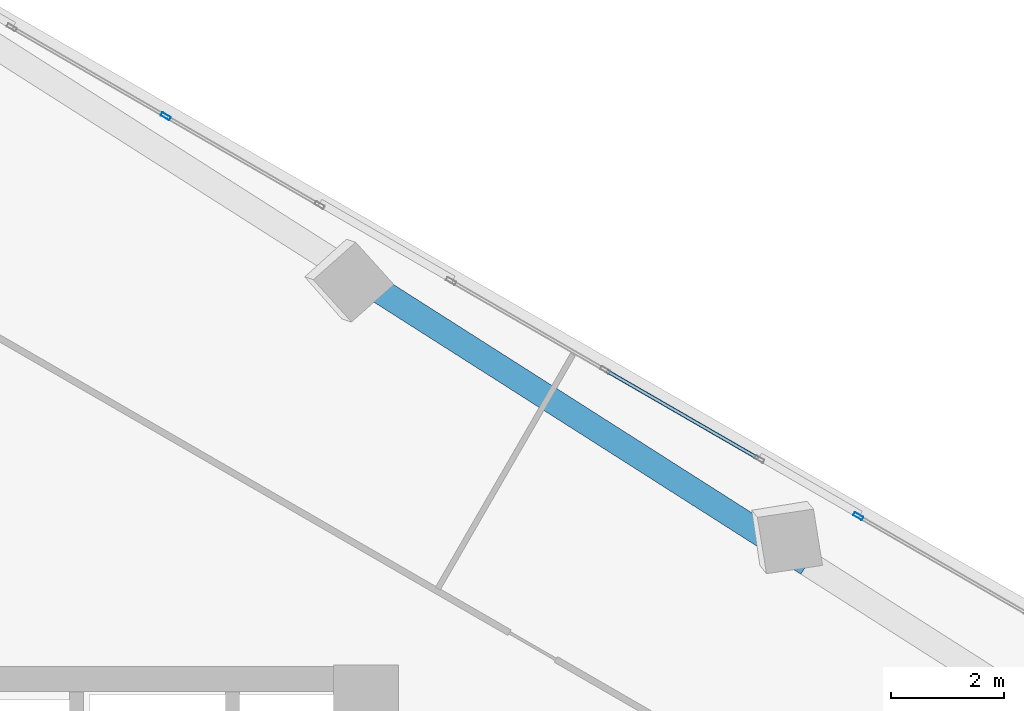
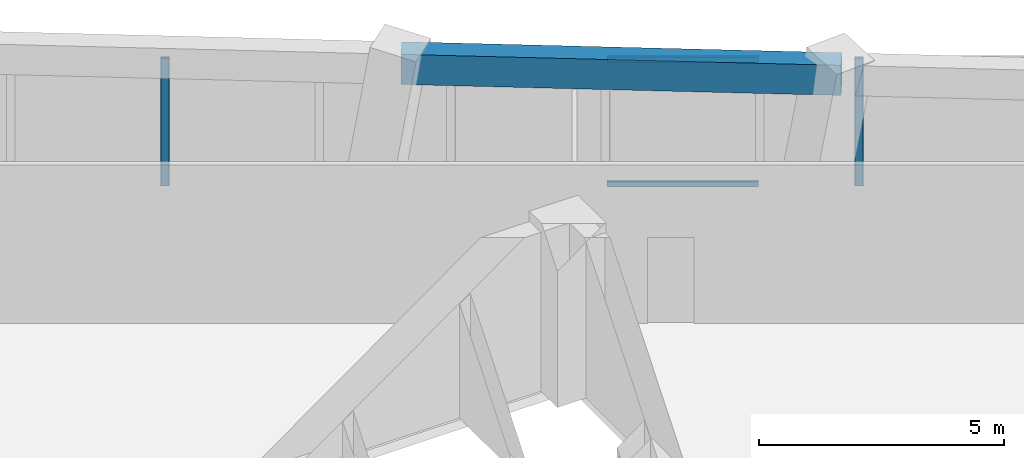
# One storey, part 15 of 22: 4 members, 1 beam, 3 elements without a shape of their own.
"""IFC4 building model written with IfcOpenShell, lengths in metres."""

from ifc_helpers import new_model, si_unit, direction, frame, origin, origin_2d, place, context, subcontext, project, spatial, rectangle, hollow_rectangle, extrude, source, transform, mapped, material, material_profile, profile_set, type_object, element, aggregate, save


model = new_model("IFC4")

# Units and contexts
model_context = context("Model", 3, precision=1e-05, world=origin(), true_north=direction((0.0, 1.0)))
body_context = subcontext(model_context, "Body", "Model", "MODEL_VIEW")
ifc_project = project(units=[si_unit("LENGTHUNIT", "METRE"), si_unit("AREAUNIT", "SQUARE_METRE"), si_unit("VOLUMEUNIT", "CUBIC_METRE"), si_unit("PLANEANGLEUNIT", "RADIAN"), si_unit("MASSUNIT", "GRAM", prefix="KILO")], contexts=[model_context])

# Site, building, storey
site_placement = place(None, origin())
site = spatial("IfcSite", under=ifc_project, at=site_placement, CompositionType="ELEMENT")
building_placement = place(site_placement, origin())
building = spatial("IfcBuilding", under=site, at=building_placement, Name="Torre Montelarca", CompositionType="ELEMENT")
storey_placement = place(building_placement, frame((0.0, 0.0, 183.39990234375)))
storey = spatial("IfcBuildingStorey", under=building, at=storey_placement, Name="L41", CompositionType="ELEMENT", Elevation=183.39990234375)

# Beam
ifc_material_1 = material(Name="Concrete C55/67", Category="concrete")
ifc_material_profile_1 = material_profile(ifc_material_1, rectangle(XDim=0.449951171875, YDim=0.75, at=origin_2d()), Name="RCB450X750", Category="concrete")
ifc_profile_set_1 = profile_set([ifc_material_profile_1], Name="Concrete C55/67")
beam_type = type_object("IfcBeamType", Name="BM-SP-RC750-EXT", PredefinedType="SPANDREL", material=ifc_profile_set_1)
shared_shape_1 = source(origin(), body_context, "Body", "SweptSolid", [
    extrude(rectangle(XDim=0.449951171875, YDim=0.75, at=origin_2d()), origin(), (0.0, 0.0, 1.0), 9.0),
])
beam_placement = place(storey_placement, frame((26.688232421875, 46.657958984375, 3.585205078125), z_axis=(0.843393307865, -0.5372966855, 0.0), x_axis=(0.5372966855, 0.843393307865, 0.0)))
element("IfcBeam", 1, at=beam_placement, inside=storey, type_object=beam_type, Name="L41 Grid Girder X 18.0-27.0 at Y=47.1", PredefinedType="SPANDREL", context=body_context, shape_type="MappedRepresentation", body=[
    mapped(shared_shape_1, transform((0.0, 0.0, 0.0), scale=1.0)),
])

# Curtain wall, member
ifc_material_2 = material(Name="Insulated low-E laminated glass", Category="glass")
curtain_wall_type = type_object("IfcCurtainWallType", Name="CW-SYS-Z2", PredefinedType="USERDEFINED", material=ifc_material_2)
curtain_wall_1_placement = place(storey_placement, origin())
curtain_wall_1 = element("IfcCurtainWall", 2, at=curtain_wall_1_placement, inside=storey, type_object=curtain_wall_type, Name="L41 Curtain Wall Run CW-T3-L41-E08-B2", ObjectType="UNITISED GLAZING", PredefinedType="USERDEFINED")
ifc_material_3 = material(Name="Anodised aluminium AA 6063-T6", Category="aluminium")
ifc_material_profile_2 = material_profile(ifc_material_3, hollow_rectangle(XDim=0.06494140625, YDim=0.179931640625, WallThickness=0.00390625, InnerFilletRadius=0.00390625, OuterFilletRadius=0.008056640625, at=origin_2d()), Name="ALU65X180X4", Category="aluminium")
ifc_profile_set_2 = profile_set([ifc_material_profile_2], Name="Anodised aluminium AA 6063-T6")
member_type_1 = type_object("IfcMemberType", Name="CWM-ALU180", PredefinedType="MULLION", material=ifc_profile_set_2)
shared_shape_2 = source(origin(), body_context, "Body", "SweptSolid", [
    extrude(hollow_rectangle(XDim=0.06494140625, YDim=0.179931640625, WallThickness=0.00390625, InnerFilletRadius=0.00390625, OuterFilletRadius=0.008056640625, at=origin_2d()), origin(), (0.0, 0.0, 1.0), 3.175048828125),
])
member_1_placement = place(storey_placement, frame((35.175048828125, 42.66064453125, 0.0), z_axis=(0.0, 0.0, 1.0), x_axis=(-0.49999500825, -0.866028285754, 0.0)))
member_1 = element("IfcMember", 3, at=member_1_placement, type_object=member_type_1, Name="CW mullion 3", PredefinedType="MULLION", context=body_context, shape_type="MappedRepresentation", body=[
    mapped(shared_shape_2, transform((0.0, 0.0, 0.0), scale=1.0)),
])
aggregate(curtain_wall_1, [member_1])

curtain_wall_2_placement = place(storey_placement, origin())
curtain_wall_2 = element("IfcCurtainWall", 4, at=curtain_wall_2_placement, inside=storey, type_object=curtain_wall_type, Name="L41 Curtain Wall Run CW-T3-L41-E08-B4", ObjectType="UNITISED GLAZING", PredefinedType="USERDEFINED")
member_2_placement = place(storey_placement, frame((22.898193359375, 49.748779296875, 0.0), z_axis=(0.0, 0.0, 1.0), x_axis=(-0.499997072389, -0.866027094035, 0.0)))
member_2 = element("IfcMember", 5, at=member_2_placement, type_object=member_type_1, Name="CW mullion 2", PredefinedType="MULLION", context=body_context, shape_type="MappedRepresentation", body=[
    mapped(shared_shape_2, transform((0.0, 0.0, 0.0), scale=1.0)),
])
aggregate(curtain_wall_2, [member_2])

# Curtain wall, members
curtain_wall_3_placement = place(storey_placement, origin())
curtain_wall_3 = element("IfcCurtainWall", 6, at=curtain_wall_3_placement, inside=storey, type_object=curtain_wall_type, Name="L41 Curtain Wall Run CW-T3-L41-E08-B3", ObjectType="UNITISED GLAZING", PredefinedType="USERDEFINED")
ifc_material_profile_3 = material_profile(ifc_material_3, hollow_rectangle(XDim=0.06494140625, YDim=0.139892578125, WallThickness=0.00390625, InnerFilletRadius=0.00390625, OuterFilletRadius=0.008056640625, at=origin_2d()), Name="ALU65X140X4", Category="aluminium")
ifc_profile_set_3 = profile_set([ifc_material_profile_3], Name="Anodised aluminium AA 6063-T6")
member_type_2 = type_object("IfcMemberType", Name="CWT-ALU140", PredefinedType="USERDEFINED", material=ifc_profile_set_3)
shared_shape_3 = source(origin(), body_context, "Body", "SweptSolid", [
    extrude(hollow_rectangle(XDim=0.06494140625, YDim=0.139892578125, WallThickness=0.00390625, InnerFilletRadius=0.00390625, OuterFilletRadius=0.008056640625, at=origin_2d()), origin(), (0.0, 0.0, 1.0), 3.09033203125),
])
member_3_placement = place(storey_placement, frame((33.39306640625, 43.689453125, 0.03271484375), z_axis=(-0.866022449854, 0.500005116322, 0.0), x_axis=(-0.500005116322, -0.866022449854, 0.0)))
member_3 = element("IfcMember", 7, at=member_3_placement, type_object=member_type_2, Name="CW transom 1.1", ObjectType="TRANSOM", PredefinedType="USERDEFINED", context=body_context, shape_type="MappedRepresentation", body=[
    mapped(shared_shape_3, transform((0.0, 0.0, 0.0), scale=1.0)),
])
member_4_placement = place(storey_placement, frame((33.39306640625, 43.689453125, 3.142578125), z_axis=(-0.866022449854, 0.500005116322, 0.0), x_axis=(-0.500005116322, -0.866022449854, 0.0)))
member_4 = element("IfcMember", 8, at=member_4_placement, type_object=member_type_2, Name="CW transom 1.2", ObjectType="TRANSOM", PredefinedType="USERDEFINED", context=body_context, shape_type="MappedRepresentation", body=[
    mapped(shared_shape_3, transform((0.0, 0.0, 0.0), scale=1.0)),
])
aggregate(curtain_wall_3, [member_3, member_4])

save(model, "model.ifc")
